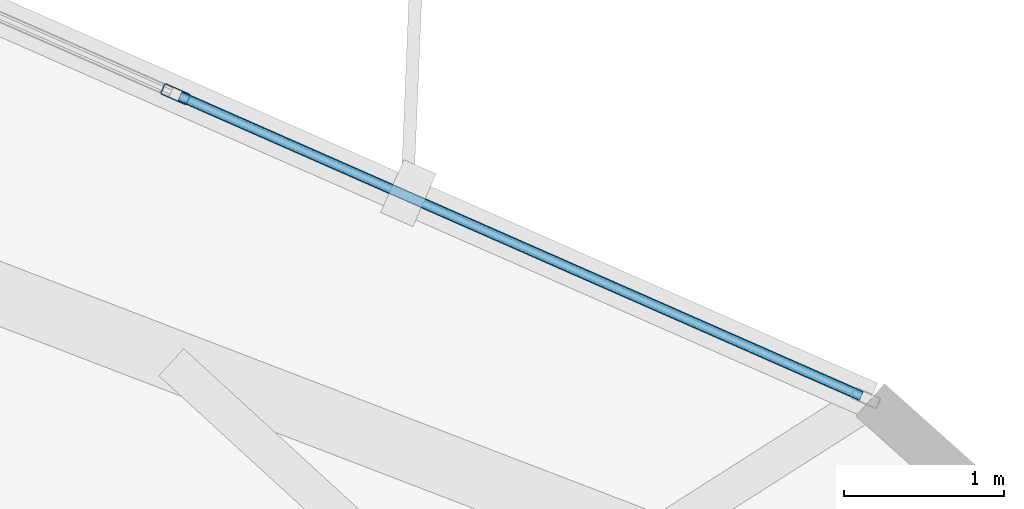
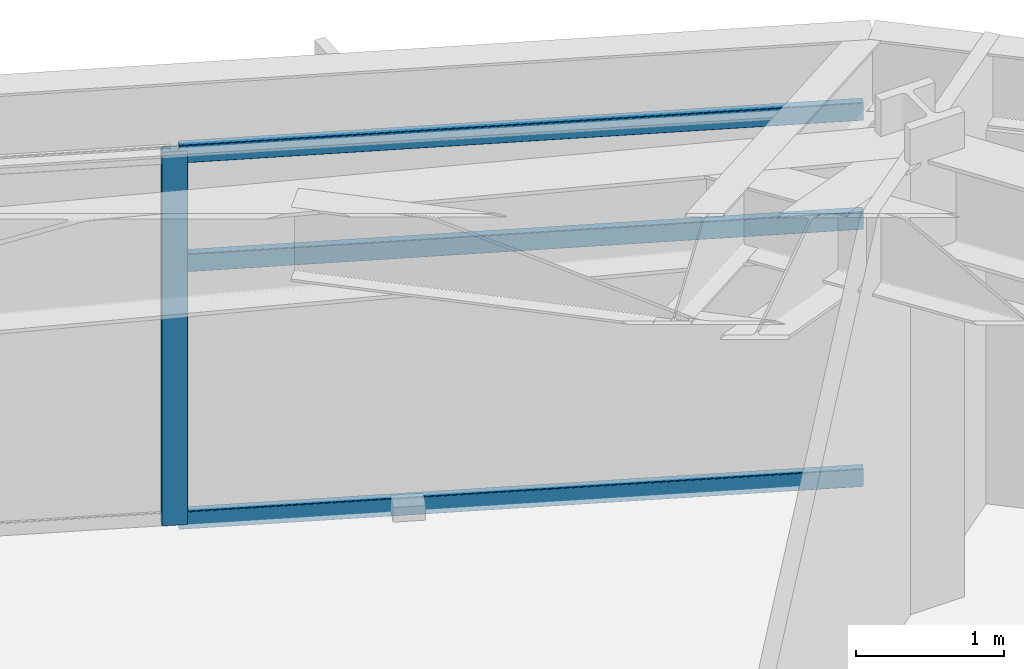
# One storey, part 13 of 22: 4 members, 1 element without a shape of its own.
"""IFC4 building model written with IfcOpenShell, lengths in metres."""

from ifc_helpers import new_model, si_unit, direction, frame, origin, origin_2d, place, context, subcontext, project, spatial, hollow_rectangle, extrude, material, layer, layer_set, material_profile, profile_set, type_object, element, aggregate, save


model = new_model("IFC4")

# Units and contexts
model_context = context("Model", 3, precision=1e-05, world=origin(), true_north=direction((0.0, 1.0)))
body_context = subcontext(model_context, "Body", "Model", "MODEL_VIEW")
ifc_project = project(units=[si_unit("LENGTHUNIT", "METRE"), si_unit("AREAUNIT", "SQUARE_METRE"), si_unit("VOLUMEUNIT", "CUBIC_METRE"), si_unit("PLANEANGLEUNIT", "RADIAN"), si_unit("MASSUNIT", "GRAM", prefix="KILO")], contexts=[model_context])

# Site, building, storey
site_placement = place(None, origin())
site = spatial("IfcSite", under=ifc_project, at=site_placement, CompositionType="ELEMENT")
building_placement = place(site_placement, origin())
building = spatial("IfcBuilding", under=site, at=building_placement, Name="Soratama Intermodal Tower", CompositionType="ELEMENT")
storey_placement = place(building_placement, frame((0.0, 0.0, 74.60009765625)))
storey = spatial("IfcBuildingStorey", under=building, at=storey_placement, Name="L17", CompositionType="ELEMENT", Elevation=74.60009765625)

# Curtain wall, members
ifc_material_1 = material(Name="Double-glazed aluminium curtain wall", Category="aluminium")
ifc_layer = layer(ifc_material_1, 0.159912109375)
ifc_layer_set = layer_set([ifc_layer], Name="Double-glazed aluminium curtain wall")
curtain_wall_type = type_object("IfcCurtainWallType", Name="CW-SYS-2", PredefinedType="NOTDEFINED", material=ifc_layer_set)
curtain_wall_placement = place(storey_placement, origin())
curtain_wall = element("IfcCurtainWall", 1, at=curtain_wall_placement, inside=storey, type_object=curtain_wall_type, Name="L17 Faceted Curtain Wall F02", PredefinedType="NOTDEFINED")
ifc_material_2 = material(Name="Anodised aluminium AA 6063-T6", Category="aluminium")
ifc_material_profile_1 = material_profile(ifc_material_2, hollow_rectangle(XDim=0.074951171875, YDim=0.179931640625, WallThickness=0.006103515625, InnerFilletRadius=0.006103515625, OuterFilletRadius=0.011962890625, at=origin_2d()), Name="CWM180X75X6")
ifc_profile_set_1 = profile_set([ifc_material_profile_1], Name="Anodised aluminium AA 6063-T6")
member_type_1 = type_object("IfcMemberType", Name="MT-CWM-2", PredefinedType="MULLION", material=ifc_profile_set_1)
member_1_placement = place(storey_placement, frame((52.809814453125, 42.74072265625, 0.0), z_axis=(0.0, 0.0, 1.0), x_axis=(-0.402904100318, -0.915242200703, 0.0)))
member_1 = element("IfcMember", 2, at=member_1_placement, type_object=member_type_1, Name="CW-2 mullion 2", PredefinedType="MULLION", context=body_context, shape_type="SweptSolid", body=[
    extrude(hollow_rectangle(XDim=0.074951171875, YDim=0.179931640625, WallThickness=0.006103515625, InnerFilletRadius=0.006103515625, OuterFilletRadius=0.011962890625, at=origin_2d()), origin(), (0.0, 0.0, 1.0), 3.078857421875),
])
ifc_material_3 = material(Name="Anodised aluminium AA 6063-T6", Category="aluminium")
ifc_material_profile_2 = material_profile(ifc_material_3, hollow_rectangle(XDim=0.06494140625, YDim=0.14990234375, WallThickness=0.0048828125, InnerFilletRadius=0.0048828125, OuterFilletRadius=0.010009765625, at=origin_2d()), Name="CWT150X65X5")
ifc_profile_set_2 = profile_set([ifc_material_profile_2], Name="Anodised aluminium AA 6063-T6")
member_type_2 = type_object("IfcMemberType", Name="TT-CWT-1", PredefinedType="USERDEFINED", material=ifc_profile_set_2)
member_2_placement = place(storey_placement, frame((57.091796875, 40.855712890625, 0.02978515625), z_axis=(-0.915254617841, 0.402875892205, 0.0), x_axis=(-0.402875892205, -0.915254617841, 0.0)))
member_2 = element("IfcMember", 3, at=member_2_placement, type_object=member_type_2, Name="CW-2 transom 1.1", ObjectType="TRANSOM", PredefinedType="USERDEFINED", context=body_context, shape_type="SweptSolid", body=[
    extrude(hollow_rectangle(XDim=0.06494140625, YDim=0.14990234375, WallThickness=0.0048828125, InnerFilletRadius=0.0048828125, OuterFilletRadius=0.010009765625, at=origin_2d()), origin(), (0.0, 0.0, 1.0), 4.648681640625),
])
member_3_placement = place(storey_placement, frame((57.091796875, 40.855712890625, 2.14990234375), z_axis=(-0.915254617841, 0.402875892205, 0.0), x_axis=(-0.402875892205, -0.915254617841, 0.0)))
member_3 = element("IfcMember", 4, at=member_3_placement, type_object=member_type_2, Name="CW-2 transom 1.2", ObjectType="TRANSOM", PredefinedType="USERDEFINED", context=body_context, shape_type="SweptSolid", body=[
    extrude(hollow_rectangle(XDim=0.06494140625, YDim=0.14990234375, WallThickness=0.0048828125, InnerFilletRadius=0.0048828125, OuterFilletRadius=0.010009765625, at=origin_2d()), origin(), (0.0, 0.0, 1.0), 4.648681640625),
])
member_4_placement = place(storey_placement, frame((57.091796875, 40.855712890625, 3.048828125), z_axis=(-0.915254617841, 0.402875892205, 0.0), x_axis=(-0.402875892205, -0.915254617841, 0.0)))
member_4 = element("IfcMember", 5, at=member_4_placement, type_object=member_type_2, Name="CW-2 transom 1.3", ObjectType="TRANSOM", PredefinedType="USERDEFINED", context=body_context, shape_type="SweptSolid", body=[
    extrude(hollow_rectangle(XDim=0.06494140625, YDim=0.14990234375, WallThickness=0.0048828125, InnerFilletRadius=0.0048828125, OuterFilletRadius=0.010009765625, at=origin_2d()), origin(), (0.0, 0.0, 1.0), 4.648681640625),
])
aggregate(curtain_wall, [member_1, member_2, member_3, member_4])

save(model, "model.ifc")
